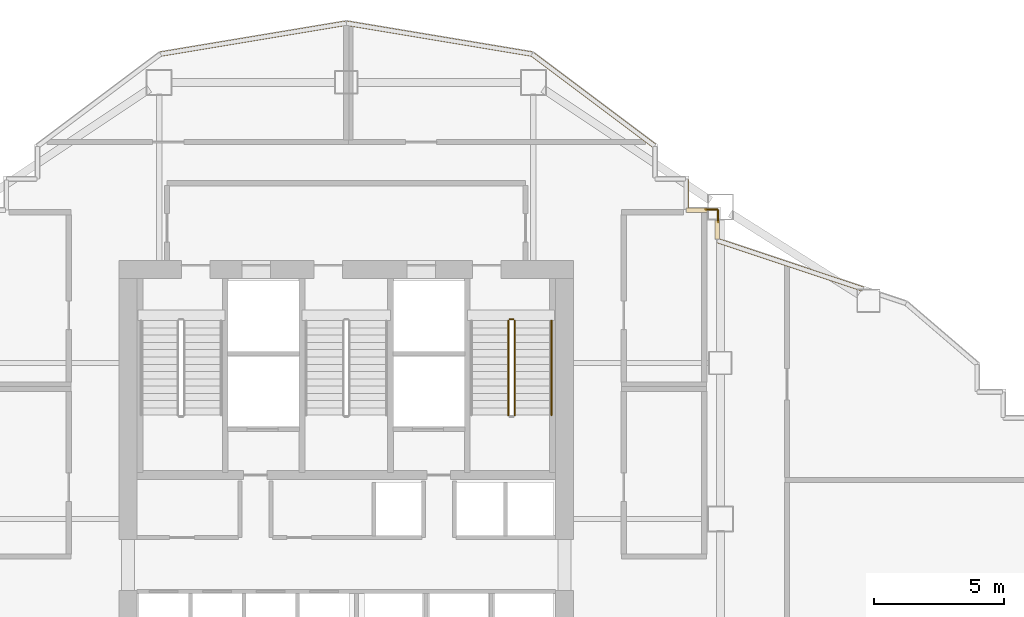
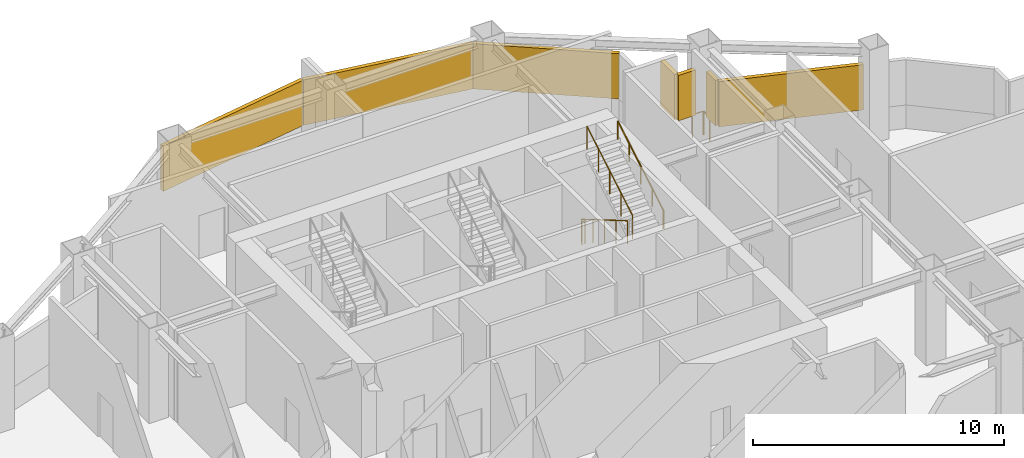
# One storey, part 11 of 12: 7 shading devices, 6 railings.
"""IFC4 building model written with IfcOpenShell, lengths in metres."""

from ifc_helpers import new_model, si_unit, direction, frame, origin, origin_2d, place, context, subcontext, project, spatial, rectangle, circle, extrude, material, type_object, element, save


model = new_model("IFC4")

# Units and contexts
model_context = context("Model", 3, precision=1e-05, world=origin(), true_north=direction((0.0, 1.0)))
body_context = subcontext(model_context, "Body", "Model", "MODEL_VIEW")
ifc_project = project(units=[si_unit("LENGTHUNIT", "METRE"), si_unit("AREAUNIT", "SQUARE_METRE"), si_unit("VOLUMEUNIT", "CUBIC_METRE"), si_unit("PLANEANGLEUNIT", "RADIAN"), si_unit("MASSUNIT", "GRAM", prefix="KILO")], contexts=[model_context])

# Site, building, storey
site_placement = place(None, origin())
site = spatial("IfcSite", under=ifc_project, at=site_placement, CompositionType="ELEMENT")
building_placement = place(site_placement, origin())
building = spatial("IfcBuilding", under=site, at=building_placement, Name="Haolan Belvedere Tower", CompositionType="ELEMENT")
storey_placement = place(building_placement, frame((0.0, 0.0, 136.39990234375)))
storey = spatial("IfcBuildingStorey", under=building, at=storey_placement, Name="L34", CompositionType="ELEMENT", Elevation=136.39990234375)

# Railings
ifc_material_1 = material(Name="Galvanised powder-coated steel guardrail", Category="steel")
railing_type_1 = type_object("IfcRailingType", Name="RL-REF-GRD-1150", PredefinedType="GUARDRAIL", material=ifc_material_1)
railing_1_placement = place(storey_placement, frame((52.2099609375, 45.510009765625, 0.0)))
element("IfcRailing", 1, at=railing_1_placement, inside=storey, type_object=railing_type_1, Name="L34 refuge corner safety guardrail 6A", PredefinedType="GUARDRAIL", context=body_context, shape_type="SweptSolid", body=[
    extrude(circle(Radius=0.02392578125, at=origin_2d()), frame((0.0, 0.0, 1.1259765625), z_axis=(1.0, 0.0, 0.0), x_axis=(0.0, 1.0, 0.0)), (0.0, 0.0, 1.0), 0.469970703125),
    extrude(circle(Radius=0.02099609375, at=origin_2d()), origin(), (0.0, 0.0, 1.0), 1.101806640625),
    extrude(circle(Radius=0.02099609375, at=origin_2d()), frame((0.469970703125, 0.0, 0.0)), (0.0, 0.0, 1.0), 1.101806640625),
])
railing_2_placement = place(storey_placement, frame((52.7099609375, 45.47998046875, 0.0)))
element("IfcRailing", 2, at=railing_2_placement, inside=storey, type_object=railing_type_1, Name="L34 refuge corner safety guardrail 6B", PredefinedType="GUARDRAIL", context=body_context, shape_type="SweptSolid", body=[
    extrude(circle(Radius=0.02392578125, at=origin_2d()), frame((0.0, 0.0, 1.1259765625), z_axis=(0.0, -1.0, 0.0), x_axis=(1.0, 0.0, 0.0)), (0.0, 0.0, 1.0), 0.469970703125),
    extrude(circle(Radius=0.02099609375, at=origin_2d()), origin(), (0.0, 0.0, 1.0), 1.101806640625),
    extrude(circle(Radius=0.02099609375, at=origin_2d()), frame((0.0, -0.469970703125, 0.0)), (0.0, 0.0, 1.0), 1.101806640625),
])
ifc_material_2 = material(Name="Brushed stainless steel 304", Category="steel")
railing_type_2 = type_object("IfcRailingType", Name="RL-STAIR-GRD-1150", PredefinedType="GUARDRAIL", material=ifc_material_2)
railing_3_placement = place(storey_placement, frame((44.639892578125, 41.22998046875, 0.164306640625)))
element("IfcRailing", 3, at=railing_3_placement, inside=storey, type_object=railing_type_2, Name="L34 ST2 stair guard 1", PredefinedType="GUARDRAIL", context=body_context, shape_type="SweptSolid", body=[
    extrude(circle(Radius=0.02392578125, at=origin_2d()), frame((0.0, 0.0, 1.1259765625), z_axis=(0.0, -0.862489892076, 0.506074289079), x_axis=(1.0, 0.0, 0.0)), (0.0, 0.0, 1.0), 4.22021484375),
    extrude(circle(Radius=0.02099609375, at=origin_2d()), origin(), (0.0, 0.0, 1.0), 1.101806640625),
    extrude(circle(Radius=0.02099609375, at=origin_2d()), frame((0.0, -0.909912109375, 0.533935546875)), (0.0, 0.0, 1.0), 1.101806640625),
    extrude(circle(Radius=0.02099609375, at=origin_2d()), frame((0.0, -1.81982421875, 1.06787109375)), (0.0, 0.0, 1.0), 1.101806640625),
    extrude(circle(Radius=0.02099609375, at=origin_2d()), frame((0.0, -2.72998046875, 1.601806640625)), (0.0, 0.0, 1.0), 1.101806640625),
    extrude(circle(Radius=0.02099609375, at=origin_2d()), frame((0.0, -3.639892578125, 2.1357421875)), (0.0, 0.0, 1.0), 1.101806640625),
])
railing_4_placement = place(storey_placement, frame((44.8798828125, 37.590087890625, 2.46435546875)))
element("IfcRailing", 4, at=railing_4_placement, inside=storey, type_object=railing_type_2, Name="L34 ST2 stair guard 3", PredefinedType="GUARDRAIL", context=body_context, shape_type="SweptSolid", body=[
    extrude(circle(Radius=0.02392578125, at=origin_2d()), frame((0.0, 0.0, 1.1259765625), z_axis=(0.0, 0.862489892076, 0.506074289079), x_axis=(-1.0, 0.0, 0.0)), (0.0, 0.0, 1.0), 4.22021484375),
    extrude(circle(Radius=0.02099609375, at=origin_2d()), origin(), (0.0, 0.0, 1.0), 1.101806640625),
    extrude(circle(Radius=0.02099609375, at=origin_2d()), frame((0.0, 0.909912109375, 0.533935546875)), (0.0, 0.0, 1.0), 1.101806640625),
    extrude(circle(Radius=0.02099609375, at=origin_2d()), frame((0.0, 1.81982421875, 1.06787109375)), (0.0, 0.0, 1.0), 1.101806640625),
    extrude(circle(Radius=0.02099609375, at=origin_2d()), frame((0.0, 2.72998046875, 1.601806640625)), (0.0, 0.0, 1.0), 1.101806640625),
    extrude(circle(Radius=0.02099609375, at=origin_2d()), frame((0.0, 3.639892578125, 2.1357421875)), (0.0, 0.0, 1.0), 1.101806640625),
])
railing_5_placement = place(storey_placement, frame((44.68994140625, 41.280029296875, 0.0)))
element("IfcRailing", 5, at=railing_5_placement, inside=storey, type_object=railing_type_2, Name="L34 ST2 stair guard 4", PredefinedType="GUARDRAIL", context=body_context, shape_type="SweptSolid", body=[
    extrude(circle(Radius=0.02392578125, at=origin_2d()), frame((0.0, 0.0, 1.1259765625), z_axis=(1.0, 0.0, 0.0), x_axis=(0.0, 1.0, 0.0)), (0.0, 0.0, 1.0), 0.14013671875),
    extrude(circle(Radius=0.02099609375, at=origin_2d()), origin(), (0.0, 0.0, 1.0), 1.101806640625),
    extrude(circle(Radius=0.02099609375, at=origin_2d()), frame((0.14013671875, 0.0, 0.0)), (0.0, 0.0, 1.0), 1.101806640625),
])
railing_type_3 = type_object("IfcRailingType", Name="RL-STAIR-HND-900", PredefinedType="HANDRAIL", material=ifc_material_2)
railing_6_placement = place(storey_placement, frame((46.300048828125, 37.590087890625, 2.46435546875)))
element("IfcRailing", 6, at=railing_6_placement, inside=storey, type_object=railing_type_3, Name="L34 ST2 stair handrail 2", PredefinedType="HANDRAIL", context=body_context, shape_type="SweptSolid", body=[
    extrude(circle(Radius=0.02392578125, at=origin_2d()), frame((0.0, 0.0, 0.8759765625), z_axis=(0.0, 0.862489892076, 0.506074289079), x_axis=(-1.0, 0.0, 0.0)), (0.0, 0.0, 1.0), 4.22021484375),
    extrude(circle(Radius=0.02099609375, at=origin_2d()), origin(), (0.0, 0.0, 1.0), 0.851806640625),
    extrude(circle(Radius=0.02099609375, at=origin_2d()), frame((0.0, 0.909912109375, 0.533935546875)), (0.0, 0.0, 1.0), 0.851806640625),
    extrude(circle(Radius=0.02099609375, at=origin_2d()), frame((0.0, 1.81982421875, 1.06787109375)), (0.0, 0.0, 1.0), 0.851806640625),
    extrude(circle(Radius=0.02099609375, at=origin_2d()), frame((0.0, 2.72998046875, 1.601806640625)), (0.0, 0.0, 1.0), 0.851806640625),
    extrude(circle(Radius=0.02099609375, at=origin_2d()), frame((0.0, 3.639892578125, 2.1357421875)), (0.0, 0.0, 1.0), 0.851806640625),
])

# Shading devices
ifc_material_3 = material(Name="Anodised champagne-silver aluminium 6063-T6", Category="aluminium")
shading_device_type = type_object("IfcShadingDeviceType", Name="SHD-LOUV-180", PredefinedType="JALOUSIE", material=ifc_material_3)
shading_device_1_placement = place(storey_placement, frame((55.4873046875, 43.377685546875, 1.14990234375), z_axis=(0.0, 0.0, 1.0), x_axis=(-0.948683015593, 0.316228613389, 0.0)))
element("IfcShadingDevice", 7, at=shading_device_1_placement, inside=storey, type_object=shading_device_type, Name="L34 refuge storm-proof louvre bank 20.2", PredefinedType="JALOUSIE", context=body_context, shape_type="SweptSolid", body=[
    extrude(rectangle(XDim=5.87841796875, YDim=0.179931640625, at=origin_2d()), origin(), (0.0, 0.0, 1.0), 2.199951171875),
])
shading_device_2_placement = place(storey_placement, frame((52.679931640625, 44.7255859375, 1.14990234375), z_axis=(0.0, 0.0, 1.0), x_axis=(0.0, 1.0, 0.0)))
element("IfcShadingDevice", 8, at=shading_device_2_placement, inside=storey, type_object=shading_device_type, Name="L34 refuge storm-proof louvre bank 21.1", PredefinedType="JALOUSIE", context=body_context, shape_type="SweptSolid", body=[
    extrude(rectangle(XDim=0.724609375, YDim=0.179931640625, at=origin_2d()), origin(), (0.0, 0.0, 1.0), 2.199951171875),
])
shading_device_3_placement = place(storey_placement, frame((51.89404296875, 45.47998046875, 1.14990234375), z_axis=(0.0, 0.0, 1.0), x_axis=(-1.0, 0.0, 0.0)))
element("IfcShadingDevice", 9, at=shading_device_3_placement, inside=storey, type_object=shading_device_type, Name="L34 refuge storm-proof louvre bank 22.1", PredefinedType="JALOUSIE", context=body_context, shape_type="SweptSolid", body=[
    extrude(rectangle(XDim=0.7880859375, YDim=0.179931640625, at=origin_2d()), origin(), (0.0, 0.0, 1.0), 2.199951171875),
])
shading_device_4_placement = place(storey_placement, frame((51.47998046875, 46.094970703125, 1.14990234375), z_axis=(0.0, 0.0, 1.0), x_axis=(0.0, 1.0, 0.0)))
element("IfcShadingDevice", 10, at=shading_device_4_placement, inside=storey, type_object=shading_device_type, Name="L34 refuge storm-proof louvre bank 23.1", PredefinedType="JALOUSIE", context=body_context, shape_type="SweptSolid", body=[
    extrude(rectangle(XDim=1.1298828125, YDim=0.179931640625, at=origin_2d()), origin(), (0.0, 0.0, 1.0), 2.199951171875),
])
shading_device_5_placement = place(storey_placement, frame((47.90966796875, 49.7177734375, 1.14990234375), z_axis=(0.0, 0.0, 1.0), x_axis=(-0.799998928149, 0.600001429133, 0.0)))
element("IfcShadingDevice", 11, at=shading_device_5_placement, inside=storey, type_object=shading_device_type, Name="L34 refuge storm-proof louvre bank 26.1", PredefinedType="JALOUSIE", context=body_context, shape_type="SweptSolid", body=[
    extrude(rectangle(XDim=5.855712890625, YDim=0.179931640625, at=origin_2d()), origin(), (0.0, 0.0, 1.0), 2.199951171875),
])
for number, where, z_axis, x_axis, name in (
    (12, (41.9755859375, 52.08251953125, 1.14990234375), (0.0, 0.0, 1.0), (-0.986394848329, 0.164393440227, 0.0), "L34 refuge storm-proof louvre bank 27.1"),
    (13, (34.82421875, 52.08251953125, 1.14990234375), (0.0, 0.0, 1.0), (-0.986394848329, -0.164393440227, 0.0), "L34 refuge storm-proof louvre bank 28.1"),
):
    element("IfcShadingDevice", number, at=place(storey_placement, frame(where, z_axis=z_axis, x_axis=x_axis)), inside=storey, type_object=shading_device_type, Name=name, PredefinedType="JALOUSIE", context=body_context, shape_type="SweptSolid", body=[
        extrude(rectangle(XDim=7.2099609375, YDim=0.179931640625, at=origin_2d()), origin(), (0.0, 0.0, 1.0), 2.199951171875),
    ])

save(model, "model.ifc")
